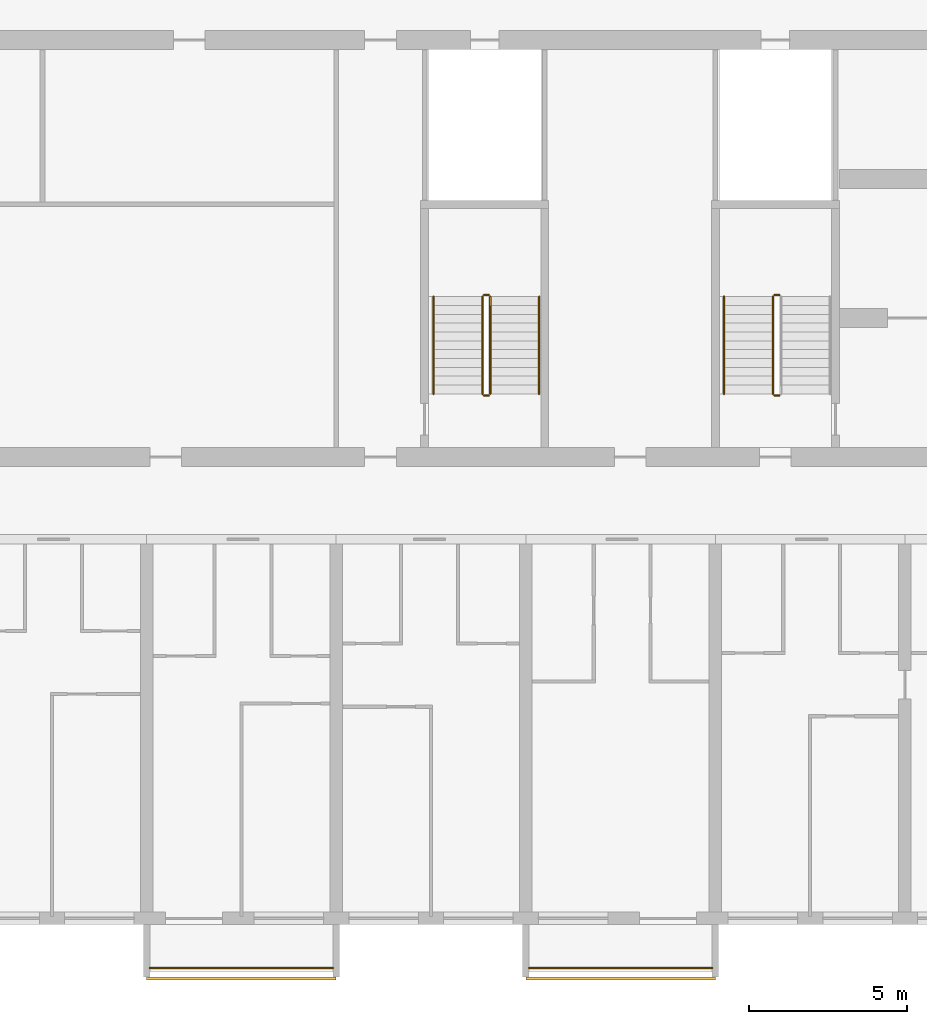
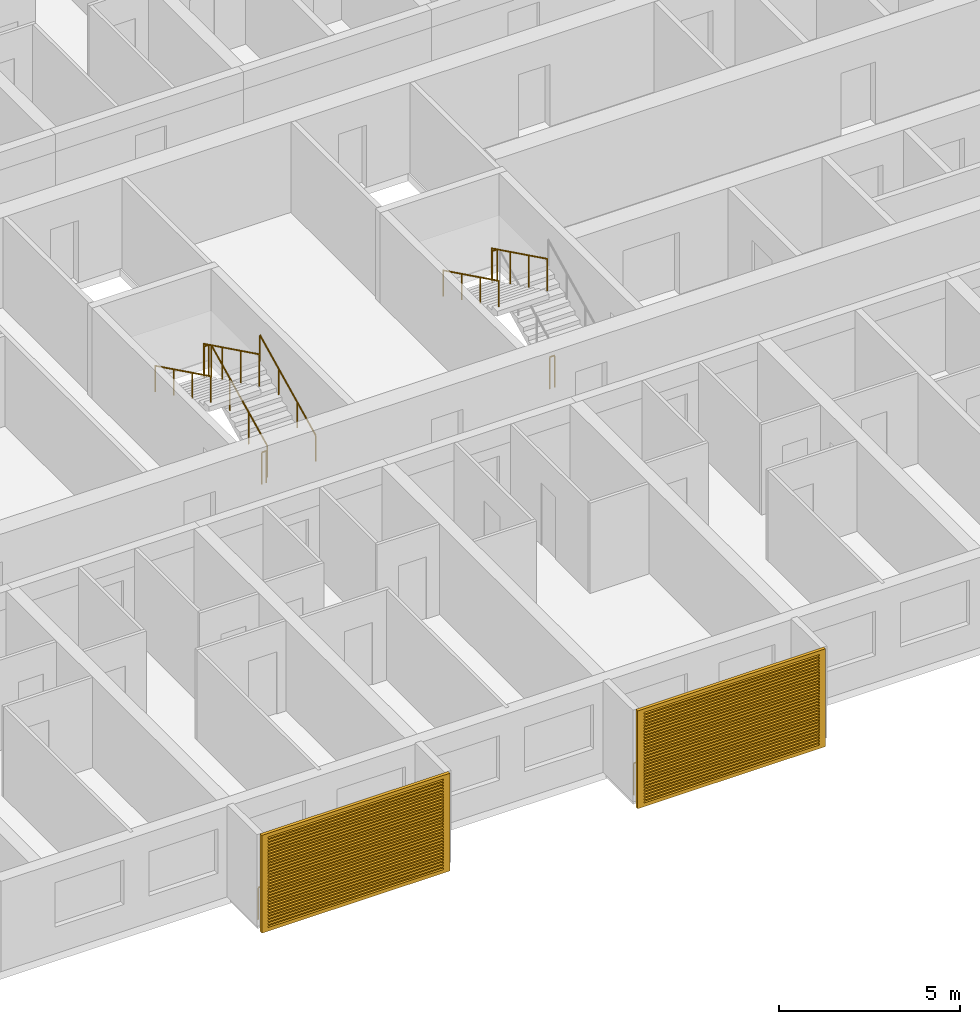
# One storey, part 19 of 40: 12 railings, 2 shading devices.
"""IFC4 building model written with IfcOpenShell, lengths in metres."""

from ifc_helpers import new_model, si_unit, direction, frame, origin, origin_2d, place, context, subcontext, project, spatial, polyline, circle, outline, extrude, source, transform, mapped, material, material_profile, profile_set, type_object, element, save


model = new_model("IFC4")

# Units and contexts
model_context = context("Model", 3, precision=1e-05, world=origin(), true_north=direction((0.0, 1.0)))
body_context = subcontext(model_context, "Body", "Model", "MODEL_VIEW")
ifc_project = project(units=[si_unit("LENGTHUNIT", "METRE"), si_unit("AREAUNIT", "SQUARE_METRE"), si_unit("VOLUMEUNIT", "CUBIC_METRE"), si_unit("PLANEANGLEUNIT", "RADIAN"), si_unit("MASSUNIT", "GRAM", prefix="KILO")], contexts=[model_context])

# Site, building, storey
site_placement = place(None, origin())
site = spatial("IfcSite", under=ifc_project, at=site_placement, CompositionType="ELEMENT")
building_placement = place(site_placement, origin())
building = spatial("IfcBuilding", under=site, at=building_placement, Name="Poui Terraces", CompositionType="ELEMENT")
storey_placement = place(building_placement, frame((0.0, 0.0, 33.300048828125)))
storey = spatial("IfcBuildingStorey", under=building, at=storey_placement, Name="L08", CompositionType="ELEMENT", Elevation=33.300048828125)

# Railings
ifc_material_1 = material(Name="Painted steel fretwork", Category="steel")
railing_type_1 = type_object("IfcRailingType", Name="BALCONY GUARD 1100", PredefinedType="GUARDRAIL", material=ifc_material_1)
for number, where, name in (
    (1, (12.10009765625, -1.570068359375, 0.0), "BALCONY GUARD"),
    (2, (24.10009765625, -1.570068359375, 0.0), "BALCONY GUARD"),
):
    element("IfcRailing", number, at=place(storey_placement, frame(where)), inside=storey, type_object=railing_type_1, Name=name, PredefinedType="GUARDRAIL", context=body_context, shape_type="SweptSolid", body=[
        extrude(circle(Radius=0.02392578125, at=origin_2d()), frame((0.0, 0.0, 1.076171875), z_axis=(1.0, 0.0, 0.0), x_axis=(0.0, 1.0, 0.0)), (0.0, 0.0, 1.0), 5.7998046875),
        extrude(circle(Radius=0.02099609375, at=origin_2d()), origin(), (0.0, 0.0, 1.0), 1.052001953125),
        extrude(circle(Radius=0.02099609375, at=origin_2d()), frame((0.966552734375, 0.0, 0.0)), (0.0, 0.0, 1.0), 1.052001953125),
        extrude(circle(Radius=0.02099609375, at=origin_2d()), frame((1.933349609375, 0.0, 0.0)), (0.0, 0.0, 1.0), 1.052001953125),
        extrude(circle(Radius=0.02099609375, at=origin_2d()), frame((2.89990234375, 0.0, 0.0)), (0.0, 0.0, 1.0), 1.052001953125),
        extrude(circle(Radius=0.02099609375, at=origin_2d()), frame((3.866455078125, 0.0, 0.0)), (0.0, 0.0, 1.0), 1.052001953125),
        extrude(circle(Radius=0.02099609375, at=origin_2d()), frame((4.833251953125, 0.0, 0.0)), (0.0, 0.0, 1.0), 1.052001953125),
        extrude(circle(Radius=0.02099609375, at=origin_2d()), frame((5.7998046875, 0.0, 0.0)), (0.0, 0.0, 1.0), 1.052001953125),
    ])
ifc_material_2 = material(Name="Galvanised steel balustrade", Category="steel")
railing_type_2 = type_object("IfcRailingType", Name="STAIR GUARD 1100", PredefinedType="GUARDRAIL", material=ifc_material_2)
railing_1_placement = place(storey_placement, frame((32.02490234375, 19.72998046875, 1.64990234375)))
element("IfcRailing", 3, at=railing_1_placement, inside=storey, type_object=railing_type_2, Name="L08 ST-CW stair guard 2", PredefinedType="GUARDRAIL", context=body_context, shape_type="SweptSolid", body=[
    extrude(circle(Radius=0.02392578125, at=origin_2d()), frame((0.0, 0.0, 1.076171875), z_axis=(-1.0, 0.0, 0.0), x_axis=(0.0, -1.0, 0.0)), (0.0, 0.0, 1.0), 0.14990234375),
    extrude(circle(Radius=0.02099609375, at=origin_2d()), origin(), (0.0, 0.0, 1.0), 1.052001953125),
    extrude(circle(Radius=0.02099609375, at=origin_2d()), frame((-0.14990234375, 0.0, 0.0)), (0.0, 0.0, 1.0), 1.052001953125),
])
railing_2_placement = place(storey_placement, frame((31.824951171875, 19.679931640625, 1.787353515625)))
element("IfcRailing", 4, at=railing_2_placement, inside=storey, type_object=railing_type_2, Name="L08 ST-CW stair guard 3", PredefinedType="GUARDRAIL", context=body_context, shape_type="SweptSolid", body=[
    extrude(circle(Radius=0.02392578125, at=origin_2d()), frame((0.0, 0.0, 1.076171875), z_axis=(0.0, -0.897578036475, 0.440855609512), x_axis=(1.0, 0.0, 0.0)), (0.0, 0.0, 1.0), 3.43115234375),
    extrude(circle(Radius=0.02099609375, at=origin_2d()), origin(), (0.0, 0.0, 1.0), 1.052001953125),
    extrude(circle(Radius=0.02099609375, at=origin_2d()), frame((0.0, -1.026611328125, 0.504150390625)), (0.0, 0.0, 1.0), 1.052001953125),
    extrude(circle(Radius=0.02099609375, at=origin_2d()), frame((0.0, -2.05322265625, 1.008544921875)), (0.0, 0.0, 1.0), 1.052001953125),
    extrude(circle(Radius=0.02099609375, at=origin_2d()), frame((0.0, -3.079833984375, 1.5126953125)), (0.0, 0.0, 1.0), 1.052001953125),
])
railing_3_placement = place(storey_placement, frame((32.02490234375, 16.550048828125, 0.0)))
element("IfcRailing", 5, at=railing_3_placement, inside=storey, type_object=railing_type_2, Name="L08 ST-CW stair guard 4", PredefinedType="GUARDRAIL", context=body_context, shape_type="SweptSolid", body=[
    extrude(circle(Radius=0.02392578125, at=origin_2d()), frame((0.0, 0.0, 1.076171875), z_axis=(-1.0, 0.0, 0.0), x_axis=(0.0, -1.0, 0.0)), (0.0, 0.0, 1.0), 0.14990234375),
    extrude(circle(Radius=0.02099609375, at=origin_2d()), origin(), (0.0, 0.0, 1.0), 1.052001953125),
    extrude(circle(Radius=0.02099609375, at=origin_2d()), frame((-0.14990234375, 0.0, 0.0)), (0.0, 0.0, 1.0), 1.052001953125),
])
railing_4_placement = place(storey_placement, frame((22.875, 16.60009765625, 0.137451171875)))
element("IfcRailing", 6, at=railing_4_placement, inside=storey, type_object=railing_type_2, Name="L08 ST-W stair guard 1", PredefinedType="GUARDRAIL", context=body_context, shape_type="SweptSolid", body=[
    extrude(circle(Radius=0.02392578125, at=origin_2d()), frame((0.0, 0.0, 1.076171875), z_axis=(0.0, 0.897606190399, 0.440798283751), x_axis=(-1.0, 0.0, 0.0)), (0.0, 0.0, 1.0), 3.43115234375),
    extrude(circle(Radius=0.02099609375, at=origin_2d()), origin(), (0.0, 0.0, 1.0), 1.052001953125),
    extrude(circle(Radius=0.02099609375, at=origin_2d()), frame((0.0, 1.026611328125, 0.504150390625)), (0.0, 0.0, 1.0), 1.052001953125),
    extrude(circle(Radius=0.02099609375, at=origin_2d()), frame((0.0, 2.05322265625, 1.00830078125)), (0.0, 0.0, 1.0), 1.052001953125),
    extrude(circle(Radius=0.02099609375, at=origin_2d()), frame((0.0, 3.079833984375, 1.512451171875)), (0.0, 0.0, 1.0), 1.052001953125),
])
railing_5_placement = place(storey_placement, frame((22.824951171875, 19.72998046875, 1.64990234375)))
element("IfcRailing", 7, at=railing_5_placement, inside=storey, type_object=railing_type_2, Name="L08 ST-W stair guard 2", PredefinedType="GUARDRAIL", context=body_context, shape_type="SweptSolid", body=[
    extrude(circle(Radius=0.02392578125, at=origin_2d()), frame((0.0, 0.0, 1.076171875), z_axis=(-1.0, 0.0, 0.0), x_axis=(0.0, -1.0, 0.0)), (0.0, 0.0, 1.0), 0.14990234375),
    extrude(circle(Radius=0.02099609375, at=origin_2d()), origin(), (0.0, 0.0, 1.0), 1.052001953125),
    extrude(circle(Radius=0.02099609375, at=origin_2d()), frame((-0.14990234375, 0.0, 0.0)), (0.0, 0.0, 1.0), 1.052001953125),
])
railing_6_placement = place(storey_placement, frame((22.625, 19.679931640625, 1.787353515625)))
element("IfcRailing", 8, at=railing_6_placement, inside=storey, type_object=railing_type_2, Name="L08 ST-W stair guard 3", PredefinedType="GUARDRAIL", context=body_context, shape_type="SweptSolid", body=[
    extrude(circle(Radius=0.02392578125, at=origin_2d()), frame((0.0, 0.0, 1.076171875), z_axis=(0.0, -0.897578036475, 0.440855609512), x_axis=(1.0, 0.0, 0.0)), (0.0, 0.0, 1.0), 3.43115234375),
    extrude(circle(Radius=0.02099609375, at=origin_2d()), origin(), (0.0, 0.0, 1.0), 1.052001953125),
    extrude(circle(Radius=0.02099609375, at=origin_2d()), frame((0.0, -1.026611328125, 0.504150390625)), (0.0, 0.0, 1.0), 1.052001953125),
    extrude(circle(Radius=0.02099609375, at=origin_2d()), frame((0.0, -2.05322265625, 1.008544921875)), (0.0, 0.0, 1.0), 1.052001953125),
    extrude(circle(Radius=0.02099609375, at=origin_2d()), frame((0.0, -3.079833984375, 1.5126953125)), (0.0, 0.0, 1.0), 1.052001953125),
])
railing_7_placement = place(storey_placement, frame((22.824951171875, 16.550048828125, 0.0)))
element("IfcRailing", 9, at=railing_7_placement, inside=storey, type_object=railing_type_2, Name="L08 ST-W stair guard 4", PredefinedType="GUARDRAIL", context=body_context, shape_type="SweptSolid", body=[
    extrude(circle(Radius=0.02392578125, at=origin_2d()), frame((0.0, 0.0, 1.076171875), z_axis=(-1.0, 0.0, 0.0), x_axis=(0.0, -1.0, 0.0)), (0.0, 0.0, 1.0), 0.14990234375),
    extrude(circle(Radius=0.02099609375, at=origin_2d()), origin(), (0.0, 0.0, 1.0), 1.052001953125),
    extrude(circle(Radius=0.02099609375, at=origin_2d()), frame((-0.14990234375, 0.0, 0.0)), (0.0, 0.0, 1.0), 1.052001953125),
])
ifc_material_3 = material(Name="Stainless steel handrail", Category="steel")
railing_type_3 = type_object("IfcRailingType", Name="STAIR HANDRAIL 900", PredefinedType="HANDRAIL", material=ifc_material_3)
railing_8_placement = place(storey_placement, frame((30.27490234375, 19.679931640625, 1.787353515625)))
element("IfcRailing", 10, at=railing_8_placement, inside=storey, type_object=railing_type_3, Name="L08 ST-CW stair handrail 2", PredefinedType="HANDRAIL", context=body_context, shape_type="SweptSolid", body=[
    extrude(circle(Radius=0.02392578125, at=origin_2d()), frame((0.0, 0.0, 0.8759765625), z_axis=(0.0, -0.897578036475, 0.440855609512), x_axis=(1.0, 0.0, 0.0)), (0.0, 0.0, 1.0), 3.43115234375),
    extrude(circle(Radius=0.02099609375, at=origin_2d()), origin(), (0.0, 0.0, 1.0), 0.851806640625),
    extrude(circle(Radius=0.02099609375, at=origin_2d()), frame((0.0, -1.026611328125, 0.504150390625)), (0.0, 0.0, 1.0), 0.851806640625),
    extrude(circle(Radius=0.02099609375, at=origin_2d()), frame((0.0, -2.05322265625, 1.008544921875)), (0.0, 0.0, 1.0), 0.851806640625),
    extrude(circle(Radius=0.02099609375, at=origin_2d()), frame((0.0, -3.079833984375, 1.5126953125)), (0.0, 0.0, 1.0), 0.851806640625),
])
railing_9_placement = place(storey_placement, frame((24.425048828125, 16.60009765625, 0.137451171875)))
element("IfcRailing", 11, at=railing_9_placement, inside=storey, type_object=railing_type_3, Name="L08 ST-W stair handrail 1", PredefinedType="HANDRAIL", context=body_context, shape_type="SweptSolid", body=[
    extrude(circle(Radius=0.02392578125, at=origin_2d()), frame((0.0, 0.0, 0.8759765625), z_axis=(0.0, 0.897606190399, 0.440798283751), x_axis=(-1.0, 0.0, 0.0)), (0.0, 0.0, 1.0), 3.43115234375),
    extrude(circle(Radius=0.02099609375, at=origin_2d()), origin(), (0.0, 0.0, 1.0), 0.851806640625),
    extrude(circle(Radius=0.02099609375, at=origin_2d()), frame((0.0, 1.026611328125, 0.504150390625)), (0.0, 0.0, 1.0), 0.851806640625),
    extrude(circle(Radius=0.02099609375, at=origin_2d()), frame((0.0, 2.05322265625, 1.00830078125)), (0.0, 0.0, 1.0), 0.851806640625),
    extrude(circle(Radius=0.02099609375, at=origin_2d()), frame((0.0, 3.079833984375, 1.512451171875)), (0.0, 0.0, 1.0), 0.851806640625),
])
railing_10_placement = place(storey_placement, frame((21.074951171875, 19.679931640625, 1.787353515625)))
element("IfcRailing", 12, at=railing_10_placement, inside=storey, type_object=railing_type_3, Name="L08 ST-W stair handrail 2", PredefinedType="HANDRAIL", context=body_context, shape_type="SweptSolid", body=[
    extrude(circle(Radius=0.02392578125, at=origin_2d()), frame((0.0, 0.0, 0.8759765625), z_axis=(0.0, -0.897578036475, 0.440855609512), x_axis=(1.0, 0.0, 0.0)), (0.0, 0.0, 1.0), 3.43115234375),
    extrude(circle(Radius=0.02099609375, at=origin_2d()), origin(), (0.0, 0.0, 1.0), 0.851806640625),
    extrude(circle(Radius=0.02099609375, at=origin_2d()), frame((0.0, -1.026611328125, 0.504150390625)), (0.0, 0.0, 1.0), 0.851806640625),
    extrude(circle(Radius=0.02099609375, at=origin_2d()), frame((0.0, -2.05322265625, 1.008544921875)), (0.0, 0.0, 1.0), 0.851806640625),
    extrude(circle(Radius=0.02099609375, at=origin_2d()), frame((0.0, -3.079833984375, 1.5126953125)), (0.0, 0.0, 1.0), 0.851806640625),
])

# Shading devices
ifc_material_4 = material(Name="Aluminium louvre", Category="aluminium")
ifc_material_profile = material_profile(ifc_material_4, outline(polyline([(-3.0, -1.64990234375), (3.0, -1.64990234375), (3.0, 1.64990234375), (-3.0, 1.64990234375), (-3.0, -1.64990234375)]), holes=[polyline([(-2.800048828125, -1.530029296875), (2.800048828125, -1.530029296875), (2.800048828125, -1.469970703125), (-2.800048828125, -1.469970703125), (-2.800048828125, -1.530029296875)]), polyline([(-2.800048828125, -1.429931640625), (2.800048828125, -1.429931640625), (2.800048828125, -1.3701171875), (-2.800048828125, -1.3701171875), (-2.800048828125, -1.429931640625)]), polyline([(-2.800048828125, -1.330078125), (2.800048828125, -1.330078125), (2.800048828125, -1.27001953125), (-2.800048828125, -1.27001953125), (-2.800048828125, -1.330078125)]), polyline([(-2.800048828125, -1.22998046875), (2.800048828125, -1.22998046875), (2.800048828125, -1.169921875), (-2.800048828125, -1.169921875), (-2.800048828125, -1.22998046875)]), polyline([(-2.800048828125, -1.1298828125), (2.800048828125, -1.1298828125), (2.800048828125, -1.070068359375), (-2.800048828125, -1.070068359375), (-2.800048828125, -1.1298828125)]), polyline([(-2.800048828125, -1.030029296875), (2.800048828125, -1.030029296875), (2.800048828125, -0.969970703125), (-2.800048828125, -0.969970703125), (-2.800048828125, -1.030029296875)]), polyline([(-2.800048828125, -0.929931640625), (2.800048828125, -0.929931640625), (2.800048828125, -0.8701171875), (-2.800048828125, -0.8701171875), (-2.800048828125, -0.929931640625)]), polyline([(-2.800048828125, -0.830078125), (2.800048828125, -0.830078125), (2.800048828125, -0.77001953125), (-2.800048828125, -0.77001953125), (-2.800048828125, -0.830078125)]), polyline([(-2.800048828125, -0.72998046875), (2.800048828125, -0.72998046875), (2.800048828125, -0.669921875), (-2.800048828125, -0.669921875), (-2.800048828125, -0.72998046875)]), polyline([(-2.800048828125, -0.6298828125), (2.800048828125, -0.6298828125), (2.800048828125, -0.570068359375), (-2.800048828125, -0.570068359375), (-2.800048828125, -0.6298828125)]), polyline([(-2.800048828125, -0.530029296875), (2.800048828125, -0.530029296875), (2.800048828125, -0.469970703125), (-2.800048828125, -0.469970703125), (-2.800048828125, -0.530029296875)]), polyline([(-2.800048828125, -0.429931640625), (2.800048828125, -0.429931640625), (2.800048828125, -0.3701171875), (-2.800048828125, -0.3701171875), (-2.800048828125, -0.429931640625)]), polyline([(-2.800048828125, -0.330078125), (2.800048828125, -0.330078125), (2.800048828125, -0.27001953125), (-2.800048828125, -0.27001953125), (-2.800048828125, -0.330078125)]), polyline([(-2.800048828125, -0.22998046875), (2.800048828125, -0.22998046875), (2.800048828125, -0.169921875), (-2.800048828125, -0.169921875), (-2.800048828125, -0.22998046875)]), polyline([(-2.800048828125, -0.1298828125), (2.800048828125, -0.1298828125), (2.800048828125, -0.070068359375), (-2.800048828125, -0.070068359375), (-2.800048828125, -0.1298828125)]), polyline([(-2.800048828125, -0.030029296875), (2.800048828125, -0.030029296875), (2.800048828125, 0.030029296875), (-2.800048828125, 0.030029296875), (-2.800048828125, -0.030029296875)]), polyline([(-2.800048828125, 0.070068359375), (2.800048828125, 0.070068359375), (2.800048828125, 0.1298828125), (-2.800048828125, 0.1298828125), (-2.800048828125, 0.070068359375)]), polyline([(-2.800048828125, 0.169921875), (2.800048828125, 0.169921875), (2.800048828125, 0.22998046875), (-2.800048828125, 0.22998046875), (-2.800048828125, 0.169921875)]), polyline([(-2.800048828125, 0.27001953125), (2.800048828125, 0.27001953125), (2.800048828125, 0.330078125), (-2.800048828125, 0.330078125), (-2.800048828125, 0.27001953125)]), polyline([(-2.800048828125, 0.3701171875), (2.800048828125, 0.3701171875), (2.800048828125, 0.429931640625), (-2.800048828125, 0.429931640625), (-2.800048828125, 0.3701171875)]), polyline([(-2.800048828125, 0.469970703125), (2.800048828125, 0.469970703125), (2.800048828125, 0.530029296875), (-2.800048828125, 0.530029296875), (-2.800048828125, 0.469970703125)]), polyline([(-2.800048828125, 0.570068359375), (2.800048828125, 0.570068359375), (2.800048828125, 0.6298828125), (-2.800048828125, 0.6298828125), (-2.800048828125, 0.570068359375)]), polyline([(-2.800048828125, 0.669921875), (2.800048828125, 0.669921875), (2.800048828125, 0.72998046875), (-2.800048828125, 0.72998046875), (-2.800048828125, 0.669921875)]), polyline([(-2.800048828125, 0.77001953125), (2.800048828125, 0.77001953125), (2.800048828125, 0.830078125), (-2.800048828125, 0.830078125), (-2.800048828125, 0.77001953125)]), polyline([(-2.800048828125, 0.8701171875), (2.800048828125, 0.8701171875), (2.800048828125, 0.929931640625), (-2.800048828125, 0.929931640625), (-2.800048828125, 0.8701171875)]), polyline([(-2.800048828125, 0.969970703125), (2.800048828125, 0.969970703125), (2.800048828125, 1.030029296875), (-2.800048828125, 1.030029296875), (-2.800048828125, 0.969970703125)]), polyline([(-2.800048828125, 1.070068359375), (2.800048828125, 1.070068359375), (2.800048828125, 1.1298828125), (-2.800048828125, 1.1298828125), (-2.800048828125, 1.070068359375)]), polyline([(-2.800048828125, 1.169921875), (2.800048828125, 1.169921875), (2.800048828125, 1.22998046875), (-2.800048828125, 1.22998046875), (-2.800048828125, 1.169921875)]), polyline([(-2.800048828125, 1.27001953125), (2.800048828125, 1.27001953125), (2.800048828125, 1.330078125), (-2.800048828125, 1.330078125), (-2.800048828125, 1.27001953125)]), polyline([(-2.800048828125, 1.3701171875), (2.800048828125, 1.3701171875), (2.800048828125, 1.429931640625), (-2.800048828125, 1.429931640625), (-2.800048828125, 1.3701171875)]), polyline([(-2.800048828125, 1.469970703125), (2.800048828125, 1.469970703125), (2.800048828125, 1.530029296875), (-2.800048828125, 1.530029296875), (-2.800048828125, 1.469970703125)])]), Name="JALOUSIE LOUVRE SHUTTER 6000X3300")
ifc_profile_set = profile_set([ifc_material_profile], Name="Aluminium louvre")
shading_device_type = type_object("IfcShadingDeviceType", Name="JALOUSIE LOUVRE SHUTTER 6000X3300", PredefinedType="JALOUSIE", material=ifc_profile_set)
shared_shape = source(origin(), body_context, "Body", "SweptSolid", [
    extrude(outline(polyline([(-3.0, -1.64990234375), (3.0, -1.64990234375), (3.0, 1.64990234375), (-3.0, 1.64990234375), (-3.0, -1.64990234375)]), holes=[polyline([(-2.800048828125, -1.530029296875), (2.800048828125, -1.530029296875), (2.800048828125, -1.469970703125), (-2.800048828125, -1.469970703125), (-2.800048828125, -1.530029296875)]), polyline([(-2.800048828125, -1.429931640625), (2.800048828125, -1.429931640625), (2.800048828125, -1.3701171875), (-2.800048828125, -1.3701171875), (-2.800048828125, -1.429931640625)]), polyline([(-2.800048828125, -1.330078125), (2.800048828125, -1.330078125), (2.800048828125, -1.27001953125), (-2.800048828125, -1.27001953125), (-2.800048828125, -1.330078125)]), polyline([(-2.800048828125, -1.22998046875), (2.800048828125, -1.22998046875), (2.800048828125, -1.169921875), (-2.800048828125, -1.169921875), (-2.800048828125, -1.22998046875)]), polyline([(-2.800048828125, -1.1298828125), (2.800048828125, -1.1298828125), (2.800048828125, -1.070068359375), (-2.800048828125, -1.070068359375), (-2.800048828125, -1.1298828125)]), polyline([(-2.800048828125, -1.030029296875), (2.800048828125, -1.030029296875), (2.800048828125, -0.969970703125), (-2.800048828125, -0.969970703125), (-2.800048828125, -1.030029296875)]), polyline([(-2.800048828125, -0.929931640625), (2.800048828125, -0.929931640625), (2.800048828125, -0.8701171875), (-2.800048828125, -0.8701171875), (-2.800048828125, -0.929931640625)]), polyline([(-2.800048828125, -0.830078125), (2.800048828125, -0.830078125), (2.800048828125, -0.77001953125), (-2.800048828125, -0.77001953125), (-2.800048828125, -0.830078125)]), polyline([(-2.800048828125, -0.72998046875), (2.800048828125, -0.72998046875), (2.800048828125, -0.669921875), (-2.800048828125, -0.669921875), (-2.800048828125, -0.72998046875)]), polyline([(-2.800048828125, -0.6298828125), (2.800048828125, -0.6298828125), (2.800048828125, -0.570068359375), (-2.800048828125, -0.570068359375), (-2.800048828125, -0.6298828125)]), polyline([(-2.800048828125, -0.530029296875), (2.800048828125, -0.530029296875), (2.800048828125, -0.469970703125), (-2.800048828125, -0.469970703125), (-2.800048828125, -0.530029296875)]), polyline([(-2.800048828125, -0.429931640625), (2.800048828125, -0.429931640625), (2.800048828125, -0.3701171875), (-2.800048828125, -0.3701171875), (-2.800048828125, -0.429931640625)]), polyline([(-2.800048828125, -0.330078125), (2.800048828125, -0.330078125), (2.800048828125, -0.27001953125), (-2.800048828125, -0.27001953125), (-2.800048828125, -0.330078125)]), polyline([(-2.800048828125, -0.22998046875), (2.800048828125, -0.22998046875), (2.800048828125, -0.169921875), (-2.800048828125, -0.169921875), (-2.800048828125, -0.22998046875)]), polyline([(-2.800048828125, -0.1298828125), (2.800048828125, -0.1298828125), (2.800048828125, -0.070068359375), (-2.800048828125, -0.070068359375), (-2.800048828125, -0.1298828125)]), polyline([(-2.800048828125, -0.030029296875), (2.800048828125, -0.030029296875), (2.800048828125, 0.030029296875), (-2.800048828125, 0.030029296875), (-2.800048828125, -0.030029296875)]), polyline([(-2.800048828125, 0.070068359375), (2.800048828125, 0.070068359375), (2.800048828125, 0.1298828125), (-2.800048828125, 0.1298828125), (-2.800048828125, 0.070068359375)]), polyline([(-2.800048828125, 0.169921875), (2.800048828125, 0.169921875), (2.800048828125, 0.22998046875), (-2.800048828125, 0.22998046875), (-2.800048828125, 0.169921875)]), polyline([(-2.800048828125, 0.27001953125), (2.800048828125, 0.27001953125), (2.800048828125, 0.330078125), (-2.800048828125, 0.330078125), (-2.800048828125, 0.27001953125)]), polyline([(-2.800048828125, 0.3701171875), (2.800048828125, 0.3701171875), (2.800048828125, 0.429931640625), (-2.800048828125, 0.429931640625), (-2.800048828125, 0.3701171875)]), polyline([(-2.800048828125, 0.469970703125), (2.800048828125, 0.469970703125), (2.800048828125, 0.530029296875), (-2.800048828125, 0.530029296875), (-2.800048828125, 0.469970703125)]), polyline([(-2.800048828125, 0.570068359375), (2.800048828125, 0.570068359375), (2.800048828125, 0.6298828125), (-2.800048828125, 0.6298828125), (-2.800048828125, 0.570068359375)]), polyline([(-2.800048828125, 0.669921875), (2.800048828125, 0.669921875), (2.800048828125, 0.72998046875), (-2.800048828125, 0.72998046875), (-2.800048828125, 0.669921875)]), polyline([(-2.800048828125, 0.77001953125), (2.800048828125, 0.77001953125), (2.800048828125, 0.830078125), (-2.800048828125, 0.830078125), (-2.800048828125, 0.77001953125)]), polyline([(-2.800048828125, 0.8701171875), (2.800048828125, 0.8701171875), (2.800048828125, 0.929931640625), (-2.800048828125, 0.929931640625), (-2.800048828125, 0.8701171875)]), polyline([(-2.800048828125, 0.969970703125), (2.800048828125, 0.969970703125), (2.800048828125, 1.030029296875), (-2.800048828125, 1.030029296875), (-2.800048828125, 0.969970703125)]), polyline([(-2.800048828125, 1.070068359375), (2.800048828125, 1.070068359375), (2.800048828125, 1.1298828125), (-2.800048828125, 1.1298828125), (-2.800048828125, 1.070068359375)]), polyline([(-2.800048828125, 1.169921875), (2.800048828125, 1.169921875), (2.800048828125, 1.22998046875), (-2.800048828125, 1.22998046875), (-2.800048828125, 1.169921875)]), polyline([(-2.800048828125, 1.27001953125), (2.800048828125, 1.27001953125), (2.800048828125, 1.330078125), (-2.800048828125, 1.330078125), (-2.800048828125, 1.27001953125)]), polyline([(-2.800048828125, 1.3701171875), (2.800048828125, 1.3701171875), (2.800048828125, 1.429931640625), (-2.800048828125, 1.429931640625), (-2.800048828125, 1.3701171875)]), polyline([(-2.800048828125, 1.469970703125), (2.800048828125, 1.469970703125), (2.800048828125, 1.530029296875), (-2.800048828125, 1.530029296875), (-2.800048828125, 1.469970703125)])]), origin(), (0.0, 0.0, 1.0), 0.099853515625),
])
for number, where, z_axis, x_axis, name in (
    (13, (15.0, -1.85009765625, 1.449951171875), (0.0, -1.0, 0.0), (1.0, 0.0, 0.0), "JALOUSIE LOUVRE SHUTTER"),
    (14, (27.0, -1.85009765625, 1.449951171875), (0.0, -1.0, 0.0), (1.0, 0.0, 0.0), "JALOUSIE LOUVRE SHUTTER"),
):
    element("IfcShadingDevice", number, at=place(storey_placement, frame(where, z_axis=z_axis, x_axis=x_axis)), inside=storey, type_object=shading_device_type, Name=name, PredefinedType="JALOUSIE", context=body_context, shape_type="MappedRepresentation", body=[
        mapped(shared_shape, transform((0.0, 0.0, 0.0))),
    ])

save(model, "model.ifc")
